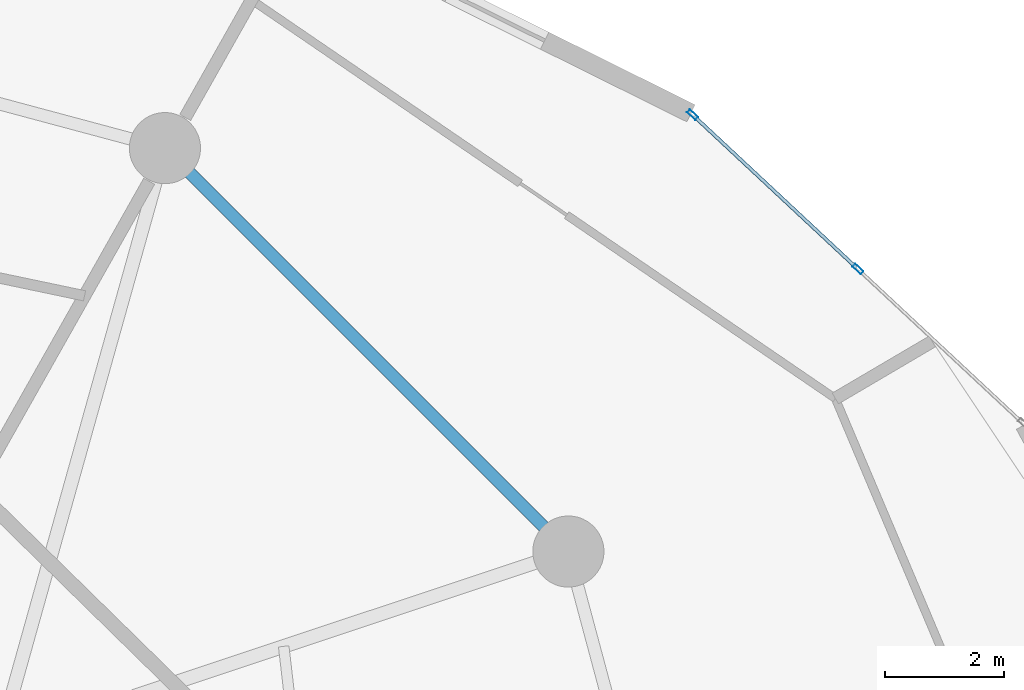
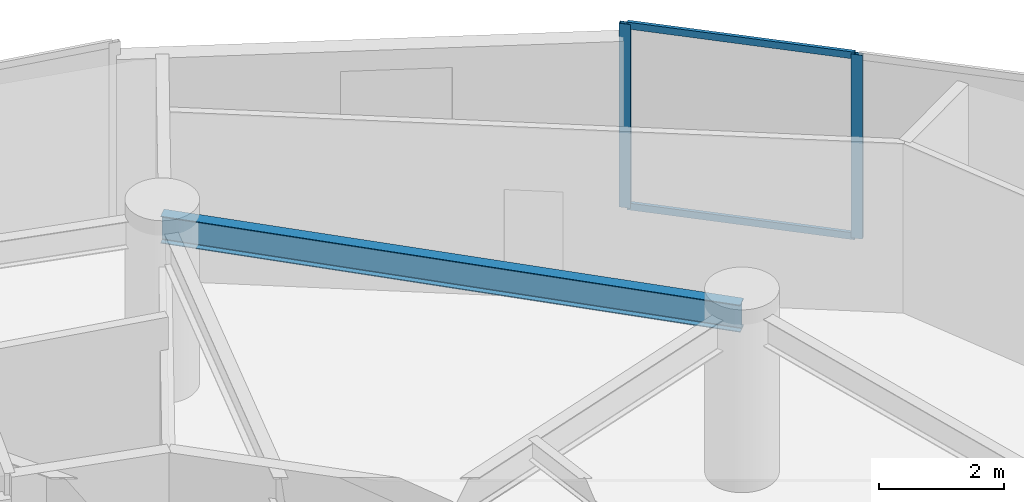
# One storey, part 16 of 26: 4 members, 1 beam, 1 element without a shape of its own.
"""IFC4 building model written with IfcOpenShell, lengths in metres."""

from ifc_helpers import new_model, si_unit, direction, frame, origin, origin_2d, place, context, subcontext, project, spatial, hollow_rectangle, i_section, extrude, source, transform, mapped, material, layer, layer_set, material_profile, profile_set, type_object, element, aggregate, save


model = new_model("IFC4")

# Units and contexts
model_context = context("Model", 3, precision=1e-05, world=origin(), true_north=direction((0.0, 1.0)))
body_context = subcontext(model_context, "Body", "Model", "MODEL_VIEW")
ifc_project = project(units=[si_unit("LENGTHUNIT", "METRE"), si_unit("AREAUNIT", "SQUARE_METRE"), si_unit("VOLUMEUNIT", "CUBIC_METRE"), si_unit("PLANEANGLEUNIT", "RADIAN"), si_unit("MASSUNIT", "GRAM", prefix="KILO")], contexts=[model_context])

# Site, building, storey
site_placement = place(None, origin())
site = spatial("IfcSite", under=ifc_project, at=site_placement, CompositionType="ELEMENT")
building_placement = place(site_placement, origin())
building = spatial("IfcBuilding", under=site, at=building_placement, Name="Solvirekh Grand Hotel", CompositionType="ELEMENT")
storey_placement = place(building_placement, frame((0.0, 0.0, 35.60009765625)))
storey = spatial("IfcBuildingStorey", under=building, at=storey_placement, Name="L07", CompositionType="ELEMENT", Elevation=35.60009765625)

# Beam
ifc_material_1 = material(Name="Steel S355", Category="steel")
ifc_material_profile_1 = material_profile(ifc_material_1, i_section(OverallWidth=0.208984375, OverallDepth=0.532958984375, WebThickness=0.010009765625, FlangeThickness=0.014892578125, FilletRadius=0.013916015625, at=origin_2d()), Name="W530X92")
ifc_profile_set_1 = profile_set([ifc_material_profile_1], Name="Steel S355")
beam_type = type_object("IfcBeamType", Name="Spandrel_Ring_W530", PredefinedType="SPANDREL", material=ifc_profile_set_1)
beam_placement = place(storey_placement, frame((16.10791015625, 9.300048828125, 3.072998046875), z_axis=(-0.707106781187, 0.707106781187, 0.0), x_axis=(-0.707106781187, -0.707106781187, 0.0)))
element("IfcBeam", 1, at=beam_placement, inside=storey, type_object=beam_type, Name="L07 perimeter spandrel beam 2", PredefinedType="SPANDREL", context=body_context, shape_type="SweptSolid", body=[
    extrude(i_section(OverallWidth=0.208984375, OverallDepth=0.532958984375, WebThickness=0.010009765625, FlangeThickness=0.014892578125, FilletRadius=0.013916015625, at=origin_2d()), origin(), (0.0, 0.0, 1.0), 9.627685546875),
])

# Curtain wall, members
ifc_material_2 = material(Name="Anodized Bronze Aluminium 6063-T6", Category="aluminium")
ifc_layer = layer(ifc_material_2, 0.18994140625)
ifc_layer_set = layer_set([ifc_layer], Name="Anodized Bronze Aluminium 6063-T6")
curtain_wall_type = type_object("IfcCurtainWallType", Name="CW_Sys2_LowZoneFlushBronzeCW", PredefinedType="NOTDEFINED", material=ifc_layer_set)
curtain_wall_placement = place(storey_placement, origin())
curtain_wall = element("IfcCurtainWall", 2, at=curtain_wall_placement, inside=storey, type_object=curtain_wall_type, Name="L07 unitised bronze-glass curtain wall CW-L07-C03", PredefinedType="NOTDEFINED")
ifc_material_profile_2 = material_profile(ifc_material_2, hollow_rectangle(XDim=0.06005859375, YDim=0.135009765625, WallThickness=0.00390625, at=origin_2d()), Name="ALU RHS 135X60X4")
ifc_profile_set_2 = profile_set([ifc_material_profile_2], Name="Anodized Bronze Aluminium 6063-T6")
member_type_1 = type_object("IfcMemberType", Name="CWTransom_Sys2", PredefinedType="USERDEFINED", material=ifc_profile_set_2)
shared_shape_1 = source(origin(), body_context, "Body", "SweptSolid", [
    extrude(hollow_rectangle(XDim=0.06005859375, YDim=0.135009765625, WallThickness=0.00390625, at=origin_2d()), origin(), (0.0, 0.0, 1.0), 3.74755859375),
])
member_1_placement = place(storey_placement, frame((20.968017578125, 14.09130859375, 0.02978515625), z_axis=(-0.731083431078, 0.682288074646, 0.0), x_axis=(-0.682288074646, -0.731083431078, 0.0)))
member_1 = element("IfcMember", 3, at=member_1_placement, type_object=member_type_1, Name="U02 transom 2.1", ObjectType="TRANSOM", PredefinedType="USERDEFINED", context=body_context, shape_type="MappedRepresentation", body=[
    mapped(shared_shape_1, transform((0.0, 0.0, 0.0), x_axis=(1.0, 0.0, 0.0), y_axis=(0.0, 1.0, 0.0), z_axis=(0.0, 0.0, 1.0), scale=1.0)),
])
member_2_placement = place(storey_placement, frame((20.968017578125, 14.09130859375, 3.56982421875), z_axis=(-0.731083431078, 0.682288074646, 0.0), x_axis=(-0.682288074646, -0.731083431078, 0.0)))
member_2 = element("IfcMember", 4, at=member_2_placement, type_object=member_type_1, Name="U02 transom 2.2", ObjectType="TRANSOM", PredefinedType="USERDEFINED", context=body_context, shape_type="MappedRepresentation", body=[
    mapped(shared_shape_1, transform((0.0, 0.0, 0.0), x_axis=(1.0, 0.0, 0.0), y_axis=(0.0, 1.0, 0.0), z_axis=(0.0, 0.0, 1.0), scale=1.0)),
])
ifc_material_profile_3 = material_profile(ifc_material_2, hollow_rectangle(XDim=0.070068359375, YDim=0.18994140625, WallThickness=0.0048828125, at=origin_2d()), Name="ALU RHS 190X70X5")
ifc_profile_set_3 = profile_set([ifc_material_profile_3], Name="Anodized Bronze Aluminium 6063-T6")
member_type_2 = type_object("IfcMemberType", Name="CWMullion_Sys2", PredefinedType="MULLION", material=ifc_profile_set_3)
shared_shape_2 = source(origin(), body_context, "Body", "SweptSolid", [
    extrude(hollow_rectangle(XDim=0.070068359375, YDim=0.18994140625, WallThickness=0.0048828125, at=origin_2d()), origin(), (0.0, 0.0, 1.0), 3.599853515625),
])
member_3_placement = place(storey_placement, frame((20.993408203125, 14.0673828125, 0.0), z_axis=(0.0, 0.0, 1.0), x_axis=(-0.682285880223, -0.73108547903, 0.0)))
member_3 = element("IfcMember", 5, at=member_3_placement, type_object=member_type_2, Name="U02 mullion 2", PredefinedType="MULLION", context=body_context, shape_type="MappedRepresentation", body=[
    mapped(shared_shape_2, transform((0.0, 0.0, 0.0), x_axis=(1.0, 0.0, 0.0), y_axis=(0.0, 1.0, 0.0), z_axis=(0.0, 0.0, 1.0), scale=1.0)),
])
member_4_placement = place(storey_placement, frame((18.20263671875, 16.672119140625, 0.0), z_axis=(0.0, 0.0, 1.0), x_axis=(-0.682285880223, -0.73108547903, 0.0)))
member_4 = element("IfcMember", 6, at=member_4_placement, type_object=member_type_2, Name="U02 mullion 3", PredefinedType="MULLION", context=body_context, shape_type="MappedRepresentation", body=[
    mapped(shared_shape_2, transform((0.0, 0.0, 0.0), x_axis=(1.0, 0.0, 0.0), y_axis=(0.0, 1.0, 0.0), z_axis=(0.0, 0.0, 1.0), scale=1.0)),
])
aggregate(curtain_wall, [member_3, member_4, member_1, member_2])

save(model, "model.ifc")
